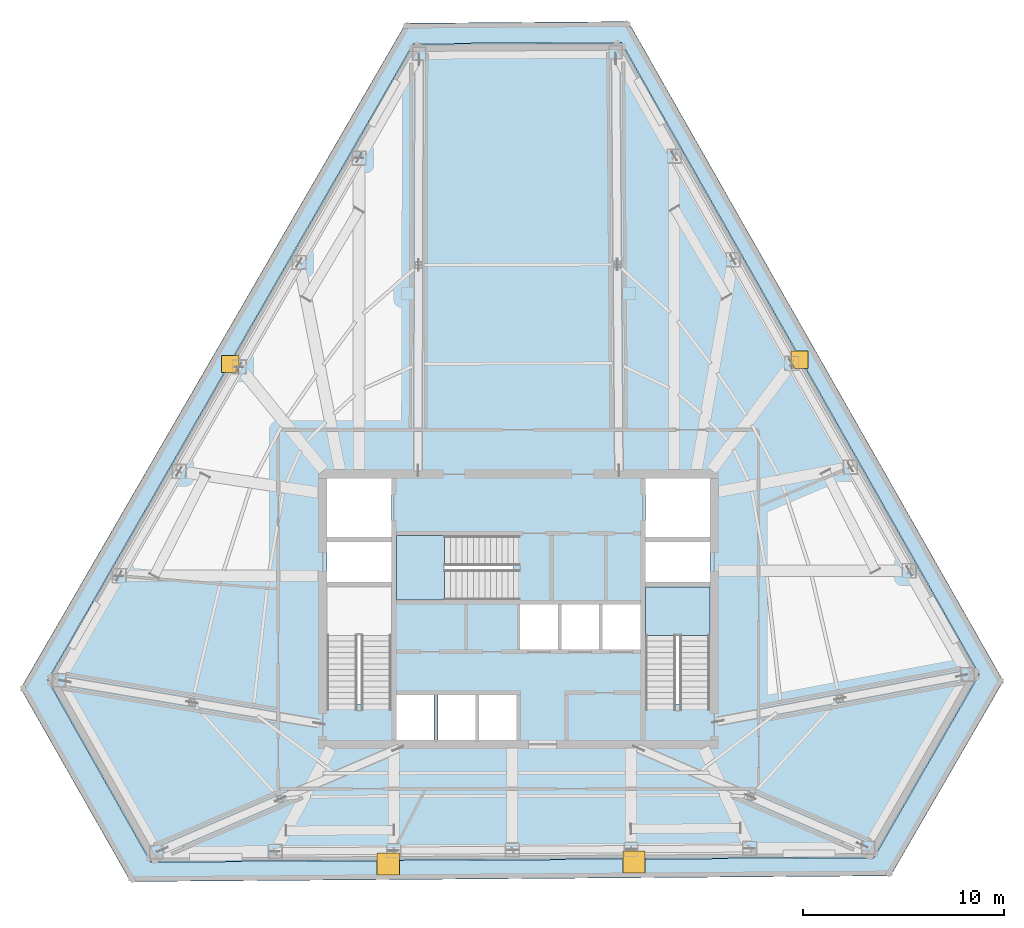
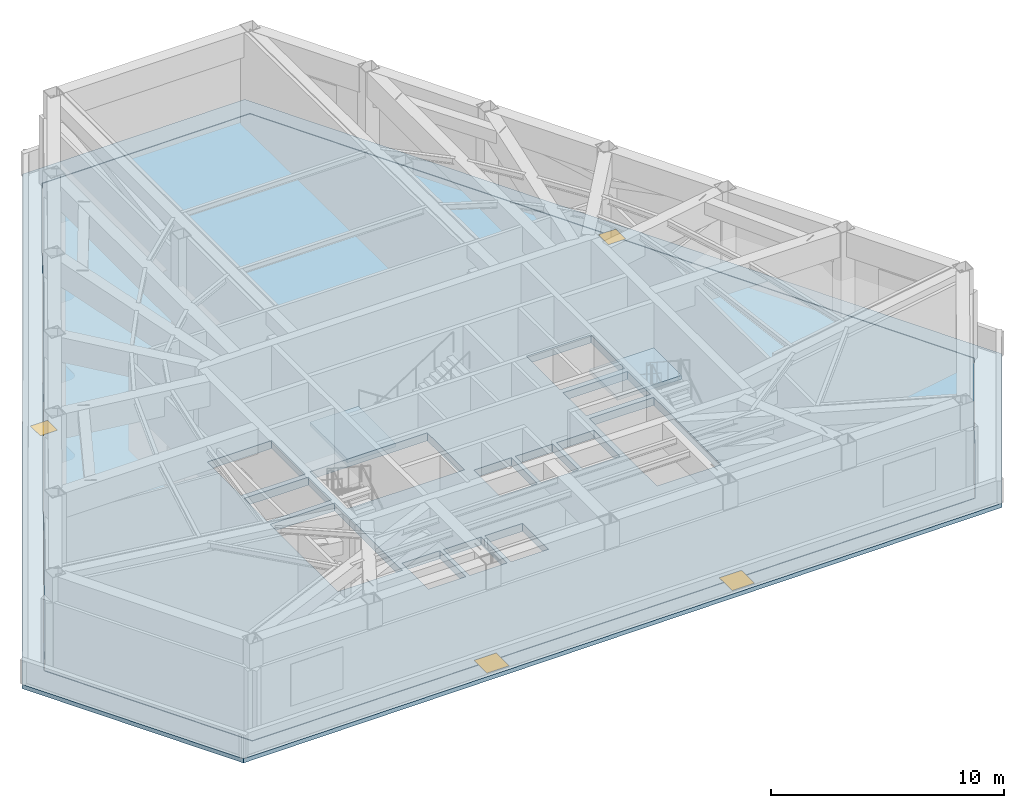
# One storey, part 4 of 13: 4 slabs, 4 windows, 4 openings, 2 elements without a shape of their own.
"""IFC4 building model written with IfcOpenShell, lengths in metres."""

import ifcopenshell
import ifcopenshell.guid

model = None  # the IFC model being written
_history = None  # IfcOwnerHistory: only IFC2X3 demands one
_inside = {}  # id of a spatial element -> (the spatial element, [elements in it])
_under = {}  # id of a project, library or spatial element -> (it, [spatial elements below it])
_declared = {}  # id of a project -> (the project, [libraries it declares])
_typed = {}  # id of a type object -> (the type object, [elements of that type])
_made_of = {}  # id of a material, layer set ... -> (it, [elements and type objects made of it])


def new_model(schema):
    """Start an empty IFC model of exactly this schema.

    Asked for "IFC4X3", IfcOpenShell would pick the latest addendum, in which some entities
    have other attributes; the version numbers below select the first issue.
    IFC2X3 requires an IfcOwnerHistory on every rooted entity: one is made here for all.
    """
    global model, _history
    if schema == "IFC4X3":
        model = ifcopenshell.file(schema_version=(4, 3, 0, 0))
    else:
        model = ifcopenshell.file(schema=schema)
    _inside.clear()
    _under.clear()
    _declared.clear()
    _typed.clear()
    _made_of.clear()
    _history = None
    if model.schema == "IFC2X3":
        org = make("IfcOrganization", Name="unknown")
        user = make(
            "IfcPersonAndOrganization",
            ThePerson=make("IfcPerson", FamilyName="unknown"),
            TheOrganization=org,
        )
        app = make(
            "IfcApplication",
            ApplicationDeveloper=org,
            Version="unknown",
            ApplicationFullName="unknown",
            ApplicationIdentifier="unknown",
        )
        _history = make(
            "IfcOwnerHistory",
            OwningUser=user,
            OwningApplication=app,
            ChangeAction="ADDED",
            CreationDate=0,
        )
    return model


def make(cls, **values):
    """One entity of the class cls with the attributes given. An attribute that is None is left unset."""
    return model.create_entity(
        cls, **{name: value for name, value in values.items() if value is not None}
    )


def rooted(cls, **values):
    """An entity with a GlobalId (a new one), such as an element, a storey or a relation."""
    return make(cls, GlobalId=ifcopenshell.guid.new(), OwnerHistory=_history, **values)


def si_unit(unit_type, name, prefix=None):
    """IfcSIUnit, for example si_unit("LENGTHUNIT", "METRE", prefix="MILLI")."""
    return make("IfcSIUnit", UnitType=unit_type, Prefix=prefix, Name=name)


def assignment(units):
    """IfcUnitAssignment: the units of a project."""
    return None if units is None else make("IfcUnitAssignment", Units=units)


def point(xyz):
    """IfcCartesianPoint."""
    return None if xyz is None else make("IfcCartesianPoint", Coordinates=xyz)


def direction(xyz):
    """IfcDirection."""
    return None if xyz is None else make("IfcDirection", DirectionRatios=xyz)


def frame(location, z_axis=None, x_axis=None):
    """IfcAxis2Placement3D, a coordinate frame: its origin and axes. An axis left out is left unset."""
    return make(
        "IfcAxis2Placement3D",
        Location=point(location),
        Axis=direction(z_axis),
        RefDirection=direction(x_axis),
    )


def frame_2d(location, x_axis=None):
    """IfcAxis2Placement2D, a coordinate frame in the plane: its origin and x axis."""
    return make(
        "IfcAxis2Placement2D", Location=point(location), RefDirection=direction(x_axis)
    )


def origin():
    """The frame at (0, 0, 0) with its axes left unset."""
    return frame((0.0, 0.0, 0.0))


def origin_2d():
    """The frame at (0, 0) in the plane with its x axis left unset."""
    return frame_2d((0.0, 0.0))


def place(relative_to, where):
    """IfcLocalPlacement: puts the frame where relative to a parent placement (None: the world)."""
    return make(
        "IfcLocalPlacement", PlacementRelTo=relative_to, RelativePlacement=where
    )


def context(
    kind, dimensions, precision=None, world=None, true_north=None, identifier=None
):
    """IfcGeometricRepresentationContext, for example the 3D "Model" context."""
    return make(
        "IfcGeometricRepresentationContext",
        ContextIdentifier=identifier,
        ContextType=kind,
        CoordinateSpaceDimension=dimensions,
        Precision=precision,
        WorldCoordinateSystem=world,
        TrueNorth=true_north,
    )


def subcontext(parent, identifier, kind, view, scale=None):
    """IfcGeometricRepresentationSubContext, for example "Body" below "Model"."""
    return make(
        "IfcGeometricRepresentationSubContext",
        ContextIdentifier=identifier,
        ContextType=kind,
        ParentContext=parent,
        TargetScale=scale,
        TargetView=view,
    )


def project(units=None, contexts=None):
    """IfcProject with its units and contexts."""
    return rooted(
        "IfcProject",
        Name="project",
        RepresentationContexts=contexts,
        UnitsInContext=assignment(units),
    )


def spatial(cls, under=None, at=None, **own):
    """A site, building, storey or space (cls), placed at a placement, below another one or the project."""
    s = rooted(cls, ObjectPlacement=at, **own)
    if under is not None:
        _under.setdefault(under.id(), (under, []))[1].append(s)
    return s


def polyline(points):
    """IfcPolyline through the points."""
    return make("IfcPolyline", Points=[point(p) for p in points])


def profile(cls, at=None, kind="AREA", **sizes):
    """A parametric profile (cls). Its sizes go by their IFC names, for example OverallWidth=200.0."""
    return make(cls, ProfileType=kind, Position=at, **sizes)


def rectangle(**sizes):
    """IfcRectangleProfileDef."""
    return profile("IfcRectangleProfileDef", **sizes)


def outline(outer, holes=None, kind="AREA"):
    """IfcArbitraryClosedProfileDef: a profile drawn as a closed curve; with holes, ...WithVoids."""
    if holes is None:
        return make("IfcArbitraryClosedProfileDef", ProfileType=kind, OuterCurve=outer)
    return make(
        "IfcArbitraryProfileDefWithVoids",
        ProfileType=kind,
        OuterCurve=outer,
        InnerCurves=holes,
    )


def extrude(swept, where, along, depth):
    """IfcExtrudedAreaSolid: the profile swept, set in the frame where, extruded along a direction by depth."""
    return make(
        "IfcExtrudedAreaSolid",
        SweptArea=swept,
        Position=where,
        ExtrudedDirection=direction(along),
        Depth=depth,
    )


def shape(context_of_items, identifier, shape_type, items):
    """IfcShapeRepresentation: the items that make up one representation, for example the "Body"."""
    return make(
        "IfcShapeRepresentation",
        ContextOfItems=context_of_items,
        RepresentationIdentifier=identifier,
        RepresentationType=shape_type,
        Items=items,
    )


def material(Name=None, Category=None):
    """IfcMaterial."""
    return make("IfcMaterial", Name=Name, Category=Category)


def layer(
    of_material, thickness, ventilated=None, Name=None, Category=None, Priority=None
):
    """IfcMaterialLayer: one layer of a wall or slab, of a material (None: an air gap)."""
    return make(
        "IfcMaterialLayer",
        Material=of_material,
        LayerThickness=thickness,
        IsVentilated=ventilated,
        Name=Name,
        Category=Category,
        Priority=Priority,
    )


def layer_set(layers, Name=None):
    """IfcMaterialLayerSet."""
    return make("IfcMaterialLayerSet", MaterialLayers=layers, LayerSetName=Name)


def made_of(thing, what):
    """Note that an element or type object is made of a material, layer set ...; save() writes the relation."""
    if what is not None:
        _made_of.setdefault(what.id(), (what, []))[1].append(thing)
    return thing


def type_object(cls, material=None, **own):
    """A type object (cls), such as IfcWallType, which elements share."""
    return made_of(rooted(cls, **own), material)


def element(
    cls,
    number,
    at=None,
    inside=None,
    cuts=None,
    type_object=None,
    material=None,
    context=None,
    identifier="Body",
    shape_type=None,
    held_by="IfcProductDefinitionShape",
    body=None,
    shapes=None,
    **own,
):
    """One element of the class cls, such as IfcWall. Its Tag is "e" and its number.

    at: its placement. inside: the storey or other place that contains it. cuts: it is an
    opening in that element (IfcRelVoidsElement). A single representation is given by context,
    identifier, shape_type and body (its items); several are given by shapes. held_by: the class
    of the entity that holds the representations. save() writes the other relations.
    """
    e = rooted(cls, Tag="e%d" % number, ObjectPlacement=at, **own)
    if body is not None:
        shapes = [shape(context, identifier, shape_type, body)]
    if shapes is not None:
        e.Representation = make(held_by, Representations=shapes)
    if inside is not None:
        _inside.setdefault(inside.id(), (inside, []))[1].append(e)
    if cuts is not None:
        rooted(
            "IfcRelVoidsElement", RelatingBuildingElement=cuts, RelatedOpeningElement=e
        )
    if type_object is not None:
        _typed.setdefault(type_object.id(), (type_object, []))[1].append(e)
    return made_of(e, material)


def fill(opening, filler):
    """IfcRelFillsElement: the door or window that sits in an opening."""
    return rooted(
        "IfcRelFillsElement",
        RelatingOpeningElement=opening,
        RelatedBuildingElement=filler,
    )


def aggregate(whole, parts):
    """IfcRelAggregates: a whole, such as a stair, and the parts it consists of."""
    return rooted("IfcRelAggregates", RelatingObject=whole, RelatedObjects=parts)


def save(model, path):
    """Write the relations noted so far, then the file.

    IfcRelAggregates (storeys below a building ...), IfcRelContainedInSpatialStructure (elements
    in a storey), IfcRelDefinesByType, IfcRelAssociatesMaterial and IfcRelDeclares: one each for
    every whole, place, type object, material and project.
    """
    for whole, parts in _under.values():
        aggregate(whole, parts)
    for where, things in _inside.values():
        rooted(
            "IfcRelContainedInSpatialStructure",
            RelatedElements=things,
            RelatingStructure=where,
        )
    for kind, things in _typed.values():
        rooted("IfcRelDefinesByType", RelatedObjects=things, RelatingType=kind)
    for what, things in _made_of.values():
        rooted("IfcRelAssociatesMaterial", RelatedObjects=things, RelatingMaterial=what)
    for by, libraries in _declared.values():
        rooted("IfcRelDeclares", RelatingContext=by, RelatedDefinitions=libraries)
    model.write(path)


model = new_model("IFC4")

# Units and contexts
model_context = context("Model", 3, precision=1e-05, world=origin(), true_north=direction((0.0, 1.0)))
body_context = subcontext(model_context, "Body", "Model", "MODEL_VIEW")
ifc_project = project(units=[si_unit("LENGTHUNIT", "METRE"), si_unit("AREAUNIT", "SQUARE_METRE"), si_unit("VOLUMEUNIT", "CUBIC_METRE"), si_unit("PLANEANGLEUNIT", "RADIAN"), si_unit("MASSUNIT", "GRAM", prefix="KILO")], contexts=[model_context])

# Site, building, storey
site_placement = place(None, origin())
site = spatial("IfcSite", under=ifc_project, at=site_placement, CompositionType="ELEMENT")
building_placement = place(site_placement, origin())
building = spatial("IfcBuilding", under=site, at=building_placement, Name="Kavelnor Concourse Tower", CompositionType="ELEMENT")
storey_placement = place(building_placement, frame((0.0, 0.0, 154.800048828125)))
storey = spatial("IfcBuildingStorey", under=building, at=storey_placement, Name="L39", CompositionType="ELEMENT", Elevation=154.800048828125)

# Stair, slab
ifc_material_1 = material(Name="Concrete C40/50", Category="concrete")
stair_type = type_object("IfcStairType", Name="STR-CORE-1500", PredefinedType="HALF_TURN_STAIR", material=ifc_material_1)
stair_1_placement = place(storey_placement, origin())
stair_1 = element("IfcStair", 1, at=stair_1_placement, inside=storey, type_object=stair_type, Name="L39 ST2", PredefinedType="HALF_TURN_STAIR")
ifc_layer_1 = layer(ifc_material_1, 0.199951171875, Name="Concrete C40/50")
ifc_layer_set_1 = layer_set([ifc_layer_1], Name="Concrete C40/50")
slab_type_1 = type_object("IfcSlabType", Name="SLB-LANDING-200", PredefinedType="LANDING", material=ifc_layer_set_1)
slab_1_placement = place(storey_placement, frame((0.0, 0.0, 2.39990234375)))
slab_1 = element("IfcSlab", 2, at=slab_1_placement, type_object=slab_type_1, Name="ST2 landing 1", PredefinedType="LANDING", context=body_context, shape_type="SweptSolid", body=[
    extrude(outline(polyline([(47.52001953125, 14.804931640625), (47.52001953125, 17.199951171875), (44.320068359375, 17.199951171875), (44.320068359375, 14.804931640625), (47.52001953125, 14.804931640625)])), origin(), (0.0, 0.0, 1.0), 0.199951171875),
])
aggregate(stair_1, [slab_1])

stair_2_placement = place(storey_placement, origin())
stair_2 = element("IfcStair", 3, at=stair_2_placement, inside=storey, type_object=stair_type, Name="L39 ST3", PredefinedType="HALF_TURN_STAIR")
slab_2_placement = place(storey_placement, frame((0.0, 0.0, 2.39990234375)))
slab_2 = element("IfcSlab", 4, at=slab_2_placement, type_object=slab_type_1, Name="ST3 landing 1", PredefinedType="LANDING", context=body_context, shape_type="SweptSolid", body=[
    extrude(outline(polyline([(34.3349609375, 19.760009765625), (31.93994140625, 19.760009765625), (31.93994140625, 16.56005859375), (34.3349609375, 16.56005859375), (34.3349609375, 19.760009765625)])), origin(), (0.0, 0.0, 1.0), 0.199951171875),
])
aggregate(stair_2, [slab_2])

# Slab, openings, windows
ifc_layer_2 = layer(ifc_material_1, 0.219970703125, Name="Concrete C40/50")
ifc_layer_set_2 = layer_set([ifc_layer_2], Name="Concrete C40/50")
slab_type_2 = type_object("IfcSlabType", Name="SLB-SETBACK-ROOF-220", PredefinedType="ROOF", material=ifc_layer_set_2)
slab_3_placement = place(storey_placement, frame((0.0, 0.0, -0.219970703125)))
slab_3 = element("IfcSlab", 5, at=slab_3_placement, inside=storey, type_object=slab_type_2, Name="L39 Setback Structural Roof Slab 1", PredefinedType="ROOF", context=body_context, shape_type="SweptSolid", body=[
    extrude(outline(polyline([(62.114990234375, 12.526123046875), (56.509765625, 2.8408203125), (18.70654296875, 2.555419921875), (13.245849609375, 12.156982421875), (32.394775390625, 45.2431640625), (43.460693359375, 45.32666015625), (62.114990234375, 12.526123046875)]), holes=[polyline([(32.765380859375, 44.2294921875), (14.580078125, 12.569580078125), (19.704345703125, 3.519775390625), (55.691162109375, 3.74169921875), (60.925537109375, 12.85498046875), (43.12451171875, 44.29345703125), (32.765380859375, 44.2294921875)])]), origin(), (0.0, 0.0, 1.0), 0.219970703125),
])
opening_1_placement = place(slab_3_placement, frame((23.6708984375, 28.304931640625, 0.0)))
opening_1 = element("IfcOpeningElement", 6, at=opening_1_placement, cuts=slab_3, Name="Opening SK-01", PredefinedType="OPENING", context=body_context, shape_type="SweptSolid", body=[
    extrude(rectangle(XDim=0.85009765625, YDim=0.85009765625, at=origin_2d()), frame((0.0, 0.0, -0.010009765625)), (0.0, 0.0, 1.0), 0.239990234375),
])
opening_2_placement = place(slab_3_placement, frame((51.982177734375, 28.50537109375, 0.0)))
opening_2 = element("IfcOpeningElement", 7, at=opening_2_placement, cuts=slab_3, Name="Opening SK-01", PredefinedType="OPENING", context=body_context, shape_type="SweptSolid", body=[
    extrude(rectangle(XDim=0.85009765625, YDim=0.85009765625, at=origin_2d()), frame((0.0, 0.0, -0.010009765625)), (0.0, 0.0, 1.0), 0.239990234375),
])
opening_3_placement = place(slab_3_placement, frame((31.527099609375, 3.439453125, 0.0)))
opening_3 = element("IfcOpeningElement", 8, at=opening_3_placement, cuts=slab_3, Name="Opening RH-01", PredefinedType="OPENING", context=body_context, shape_type="SweptSolid", body=[
    extrude(rectangle(XDim=1.10009765625, YDim=1.10009765625, at=origin_2d()), frame((0.0, 0.0, -0.010009765625)), (0.0, 0.0, 1.0), 0.239990234375),
])
opening_4_placement = place(slab_3_placement, frame((43.74658203125, 3.526611328125, 0.0)))
opening_4 = element("IfcOpeningElement", 9, at=opening_4_placement, cuts=slab_3, Name="Opening RH-01", PredefinedType="OPENING", context=body_context, shape_type="SweptSolid", body=[
    extrude(rectangle(XDim=1.10009765625, YDim=1.10009765625, at=origin_2d()), frame((0.0, 0.0, -0.010009765625)), (0.0, 0.0, 1.0), 0.239990234375),
])
ifc_material_2 = material(Name="Anodised aluminium 6063-T6", Category="aluminium")
window_type_1 = type_object("IfcWindowType", Name="WIN-ROOF-HATCH", PartitioningType="SINGLE_PANEL", PredefinedType="SKYLIGHT", material=ifc_material_2)
window_1_placement = place(opening_3_placement, frame((0.0, 0.0, 0.169921875)))
window_1 = element("IfcWindow", 10, at=window_1_placement, inside=storey, type_object=window_type_1, Name="L39 Setback Roof Access and Smoke Vent Hatch 1", OverallHeight=1.10009765625, OverallWidth=1.10009765625, PartitioningType="SINGLE_PANEL", PredefinedType="SKYLIGHT", context=body_context, shape_type="SweptSolid", body=[
    extrude(rectangle(XDim=1.10009765625, YDim=1.10009765625, at=origin_2d()), origin(), (0.0, 0.0, 1.0), 0.050048828125),
])
fill(opening_3, window_1)
window_2_placement = place(opening_4_placement, frame((0.0, 0.0, 0.169921875)))
window_2 = element("IfcWindow", 11, at=window_2_placement, inside=storey, type_object=window_type_1, Name="L39 Setback Roof Access and Smoke Vent Hatch 2", OverallHeight=1.10009765625, OverallWidth=1.10009765625, PartitioningType="SINGLE_PANEL", PredefinedType="SKYLIGHT", context=body_context, shape_type="SweptSolid", body=[
    extrude(rectangle(XDim=1.10009765625, YDim=1.10009765625, at=origin_2d()), origin(), (0.0, 0.0, 1.0), 0.050048828125),
])
fill(opening_4, window_2)
ifc_material_3 = material(Name="Double low-E argon insulated glazing", Category="glass")
window_type_2 = type_object("IfcWindowType", Name="WIN-ROOF-SKYLIGHT", PartitioningType="SINGLE_PANEL", PredefinedType="SKYLIGHT", material=ifc_material_3)
window_3_placement = place(opening_1_placement, frame((0.0, 0.0, 0.169921875)))
window_3 = element("IfcWindow", 12, at=window_3_placement, inside=storey, type_object=window_type_2, Name="L39 Setback Roof Framed Skylight 1", OverallHeight=0.85009765625, OverallWidth=0.85009765625, PartitioningType="SINGLE_PANEL", PredefinedType="SKYLIGHT", context=body_context, shape_type="SweptSolid", body=[
    extrude(rectangle(XDim=0.85009765625, YDim=0.85009765625, at=origin_2d()), origin(), (0.0, 0.0, 1.0), 0.050048828125),
])
fill(opening_1, window_3)
window_4_placement = place(opening_2_placement, frame((0.0, 0.0, 0.169921875)))
window_4 = element("IfcWindow", 13, at=window_4_placement, inside=storey, type_object=window_type_2, Name="L39 Setback Roof Framed Skylight 2", OverallHeight=0.85009765625, OverallWidth=0.85009765625, PartitioningType="SINGLE_PANEL", PredefinedType="SKYLIGHT", context=body_context, shape_type="SweptSolid", body=[
    extrude(rectangle(XDim=0.85009765625, YDim=0.85009765625, at=origin_2d()), origin(), (0.0, 0.0, 1.0), 0.050048828125),
])
fill(opening_2, window_4)

# Slab
ifc_material_4 = material(Name="Concrete C50/60", Category="concrete")
ifc_layer_3 = layer(ifc_material_4, 0.419921875, Name="Concrete C50/60")
ifc_layer_set_3 = layer_set([ifc_layer_3], Name="Concrete C50/60")
slab_type_3 = type_object("IfcSlabType", Name="SLB-XFER-MAT-420", PredefinedType="FLOOR", material=ifc_layer_set_3)
slab_4_placement = place(storey_placement, frame((0.0, 0.0, -0.420166015625)))
element("IfcSlab", 14, at=slab_4_placement, inside=storey, type_object=slab_type_3, Name="L39 Composite Structural Floor Slab", PredefinedType="FLOOR", context=body_context, shape_type="SweptSolid", body=[
    extrude(outline(polyline([(43.11279296875, 44.2734375), (32.77685546875, 44.209716796875), (14.603271484375, 12.569580078125), (19.716064453125, 3.539794921875), (55.679443359375, 3.76171875), (60.902587890625, 12.85498046875), (43.11279296875, 44.2734375)]), holes=[polyline([(28.47998046875, 11.3798828125), (31.679931640625, 11.3798828125), (31.679931640625, 17.199951171875), (28.47998046875, 17.199951171875), (28.47998046875, 11.3798828125)]), polyline([(44.320068359375, 11.3798828125), (47.52001953125, 11.3798828125), (47.52001953125, 17.199951171875), (44.320068359375, 17.199951171875), (44.320068359375, 11.3798828125)]), polyline([(31.93994140625, 16.56005859375), (37.760009765625, 16.56005859375), (37.760009765625, 19.760009765625), (31.93994140625, 19.760009765625), (31.93994140625, 16.56005859375)]), polyline([(28.47998046875, 19.699951171875), (31.679931640625, 19.699951171875), (31.679931640625, 22.60009765625), (28.47998046875, 22.60009765625), (28.47998046875, 19.699951171875)]), polyline([(44.320068359375, 19.699951171875), (47.52001953125, 19.699951171875), (47.52001953125, 22.60009765625), (44.320068359375, 22.60009765625), (44.320068359375, 19.699951171875)]), polyline([(38.090087890625, 14.10009765625), (39.9599609375, 14.10009765625), (39.9599609375, 16.340087890625), (38.090087890625, 16.340087890625), (38.090087890625, 14.10009765625)]), polyline([(40.139892578125, 14.10009765625), (42.010009765625, 14.10009765625), (42.010009765625, 16.340087890625), (40.139892578125, 16.340087890625), (40.139892578125, 14.10009765625)]), polyline([(42.18994140625, 14.10009765625), (44.06005859375, 14.10009765625), (44.06005859375, 16.340087890625), (42.18994140625, 16.340087890625), (42.18994140625, 14.10009765625)]), polyline([(31.93994140625, 9.60009765625), (33.81005859375, 9.60009765625), (33.81005859375, 11.840087890625), (31.93994140625, 11.840087890625), (31.93994140625, 9.60009765625)]), polyline([(33.989990234375, 9.60009765625), (35.860107421875, 9.60009765625), (35.860107421875, 11.840087890625), (33.989990234375, 11.840087890625), (33.989990234375, 9.60009765625)]), polyline([(36.0400390625, 9.60009765625), (37.909912109375, 9.60009765625), (37.909912109375, 11.840087890625), (36.0400390625, 11.840087890625), (36.0400390625, 9.60009765625)]), polyline([(28.47998046875, 17.4599609375), (31.679931640625, 17.4599609375), (31.679931640625, 19.43994140625), (28.47998046875, 19.43994140625), (28.47998046875, 17.4599609375)]), polyline([(44.320068359375, 17.4599609375), (47.52001953125, 17.4599609375), (47.52001953125, 19.43994140625), (44.320068359375, 19.43994140625), (44.320068359375, 17.4599609375)])]), origin(), (0.0, 0.0, 1.0), 0.420166015625),
])

save(model, "model.ifc")
